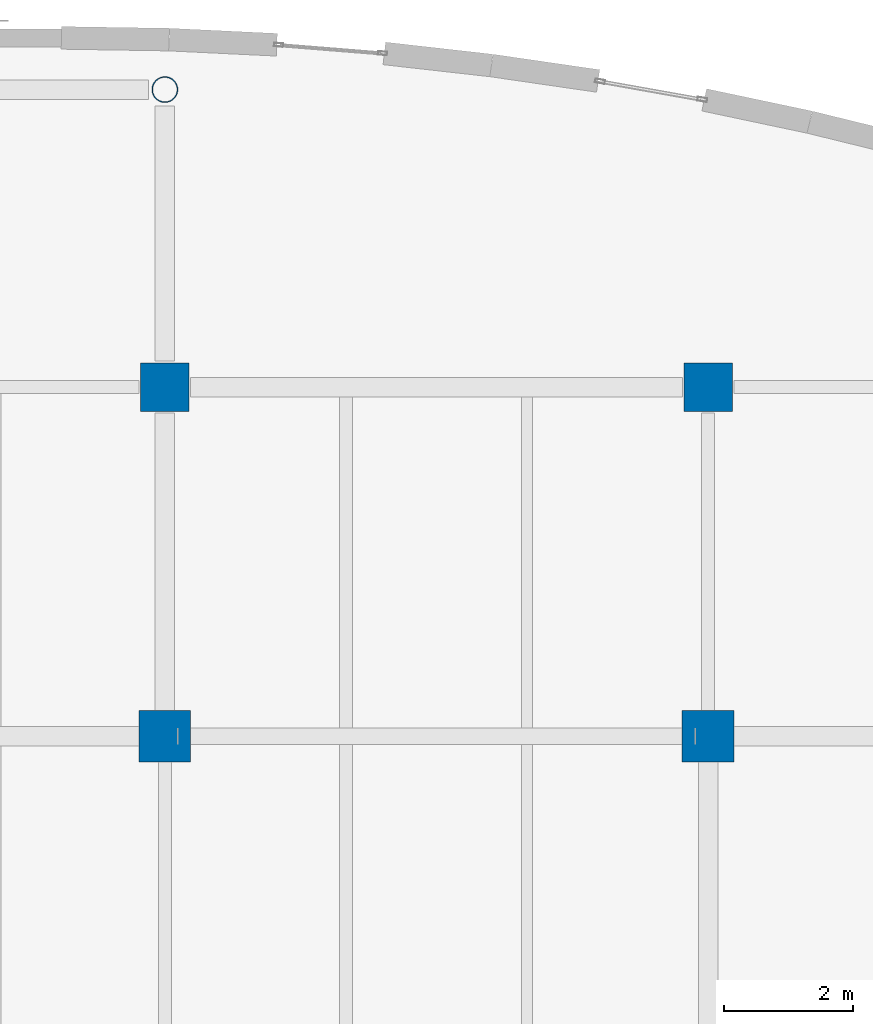
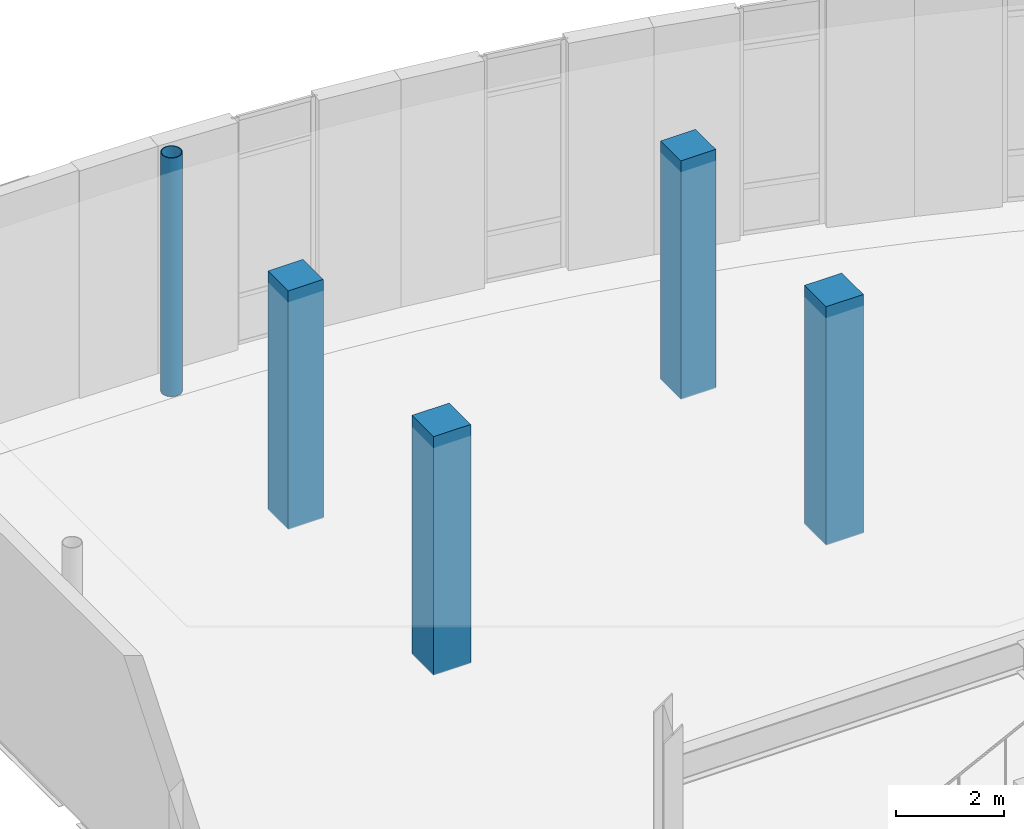
# One storey, part 11 of 110: 5 columns.
"""IFC4 building model written with IfcOpenShell, lengths in metres."""

from ifc_helpers import new_model, si_unit, direction, frame, origin, origin_2d, place, context, subcontext, project, spatial, rectangle, hollow_circle, extrude, material, material_profile, profile_set, type_object, element, save


model = new_model("IFC4")

# Units and contexts
model_context = context("Model", 3, precision=1e-05, world=origin(), true_north=direction((0.0, 1.0)))
body_context = subcontext(model_context, "Body", "Model", "MODEL_VIEW")
ifc_project = project(units=[si_unit("LENGTHUNIT", "METRE"), si_unit("AREAUNIT", "SQUARE_METRE"), si_unit("VOLUMEUNIT", "CUBIC_METRE"), si_unit("PLANEANGLEUNIT", "RADIAN"), si_unit("MASSUNIT", "GRAM", prefix="KILO"), si_unit("THERMODYNAMICTEMPERATUREUNIT", "KELVIN")], contexts=[model_context])

# Site, building, storey
site_placement = place(None, origin())
site = spatial("IfcSite", under=ifc_project, at=site_placement, CompositionType="ELEMENT")
building_placement = place(site_placement, origin())
building = spatial("IfcBuilding", under=site, at=building_placement, Name="Lustrewick Department Store", CompositionType="ELEMENT")
storey_placement = place(building_placement, frame((0.0, 0.0, 6.0)))
storey = spatial("IfcBuildingStorey", under=building, at=storey_placement, Name="L02", CompositionType="ELEMENT", Elevation=6.0)

# Columns
ifc_material_1 = material(Name="Concrete C40", Category="concrete")
ifc_material_profile_1 = material_profile(ifc_material_1, rectangle(XDim=0.800048828125, YDim=0.800048828125, at=origin_2d()), Name="RC 800x800")
ifc_profile_set_1 = profile_set([ifc_material_profile_1], Name="Concrete C40")
column_type_1 = type_object("IfcColumnType", Name="C19", PredefinedType="COLUMN", material=ifc_profile_set_1)
for number, where, z_axis, x_axis, name in (
    (1, (117.60009765625, 100.800048828125, 0.0), (0.0, 0.0, 1.0), (1.0, 0.0, 0.0), "L02 V4 Column C19"),
    (2, (126.0, 100.800048828125, 0.0), (0.0, 0.0, 1.0), (1.0, 0.0, 0.0), "L02 V4 Column C19"),
):
    element("IfcColumn", number, at=place(storey_placement, frame(where, z_axis=z_axis, x_axis=x_axis)), inside=storey, type_object=column_type_1, Name=name, PredefinedType="COLUMN", context=body_context, shape_type="SweptSolid", body=[
        extrude(rectangle(XDim=0.800048828125, YDim=0.800048828125, at=origin_2d()), origin(), (0.0, 0.0, 1.0), 5.39990234375),
    ])
ifc_material_profile_2 = material_profile(ifc_material_1, rectangle(XDim=0.75, YDim=0.75, at=origin_2d()), Name="RC 750x750")
ifc_profile_set_2 = profile_set([ifc_material_profile_2], Name="Concrete C40")
column_type_2 = type_object("IfcColumnType", Name="C20", PredefinedType="COLUMN", material=ifc_profile_set_2)
for number, where, z_axis, x_axis, name in (
    (3, (117.60009765625, 106.199951171875, 0.0), (0.0, 0.0, 1.0), (1.0, 0.0, 0.0), "L02 V4 Column C20"),
    (4, (126.0, 106.199951171875, 0.0), (0.0, 0.0, 1.0), (1.0, 0.0, 0.0), "L02 V4 Column C20"),
):
    element("IfcColumn", number, at=place(storey_placement, frame(where, z_axis=z_axis, x_axis=x_axis)), inside=storey, type_object=column_type_2, Name=name, PredefinedType="COLUMN", context=body_context, shape_type="SweptSolid", body=[
        extrude(rectangle(XDim=0.75, YDim=0.75, at=origin_2d()), origin(), (0.0, 0.0, 1.0), 5.39990234375),
    ])
ifc_material_2 = material(Name="Structural steel Q355C", Category="steel")
ifc_material_profile_3 = material_profile(ifc_material_2, hollow_circle(Radius=0.202880859375, WallThickness=0.01611328125, at=origin_2d()), Name="CHS 406x16")
ifc_profile_set_3 = profile_set([ifc_material_profile_3], Name="Structural steel Q355C")
column_type_3 = type_object("IfcColumnType", Name="CE03", PredefinedType="COLUMN", material=ifc_profile_set_3)
column_placement = place(storey_placement, frame((117.60009765625, 110.800048828125, 0.0), z_axis=(0.0, 0.0, 1.0), x_axis=(1.0, 0.0, 0.0)))
element("IfcColumn", 5, at=column_placement, inside=storey, type_object=column_type_3, Name="L02 V4 Column CE03", PredefinedType="COLUMN", context=body_context, shape_type="SweptSolid", body=[
    extrude(hollow_circle(Radius=0.202880859375, WallThickness=0.01611328125, at=origin_2d()), origin(), (0.0, 0.0, 1.0), 5.39990234375),
])

save(model, "model.ifc")
